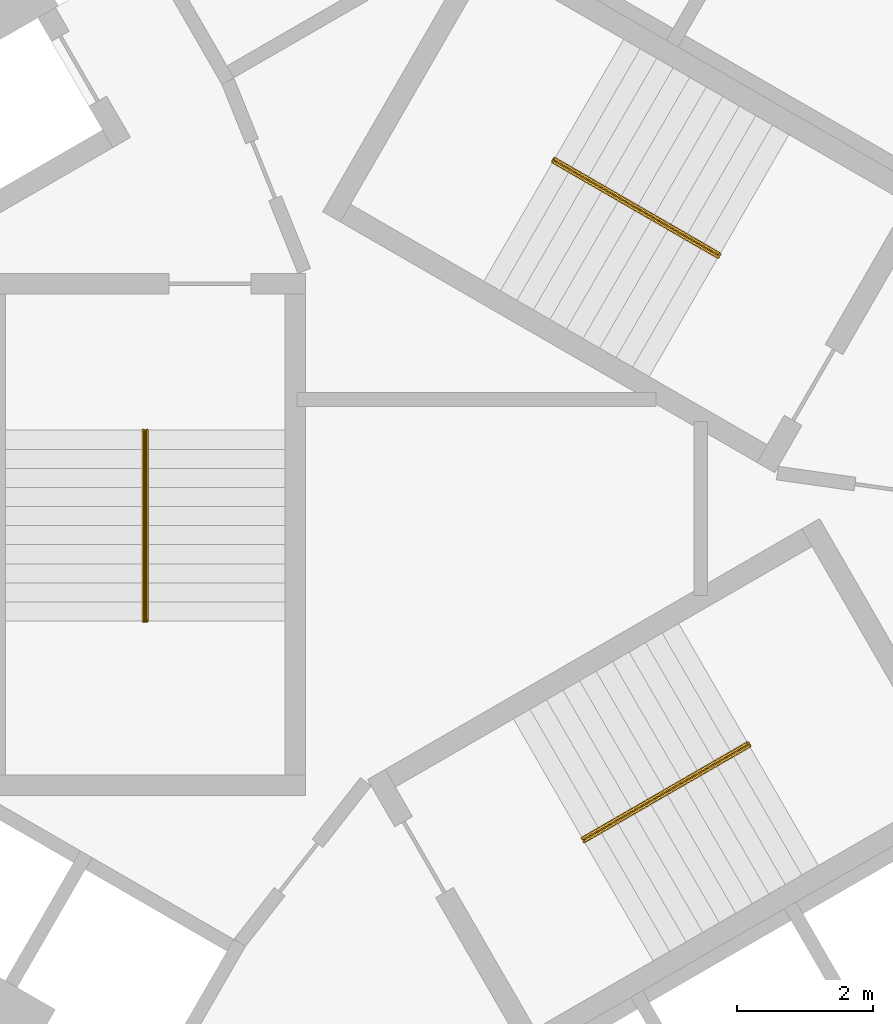
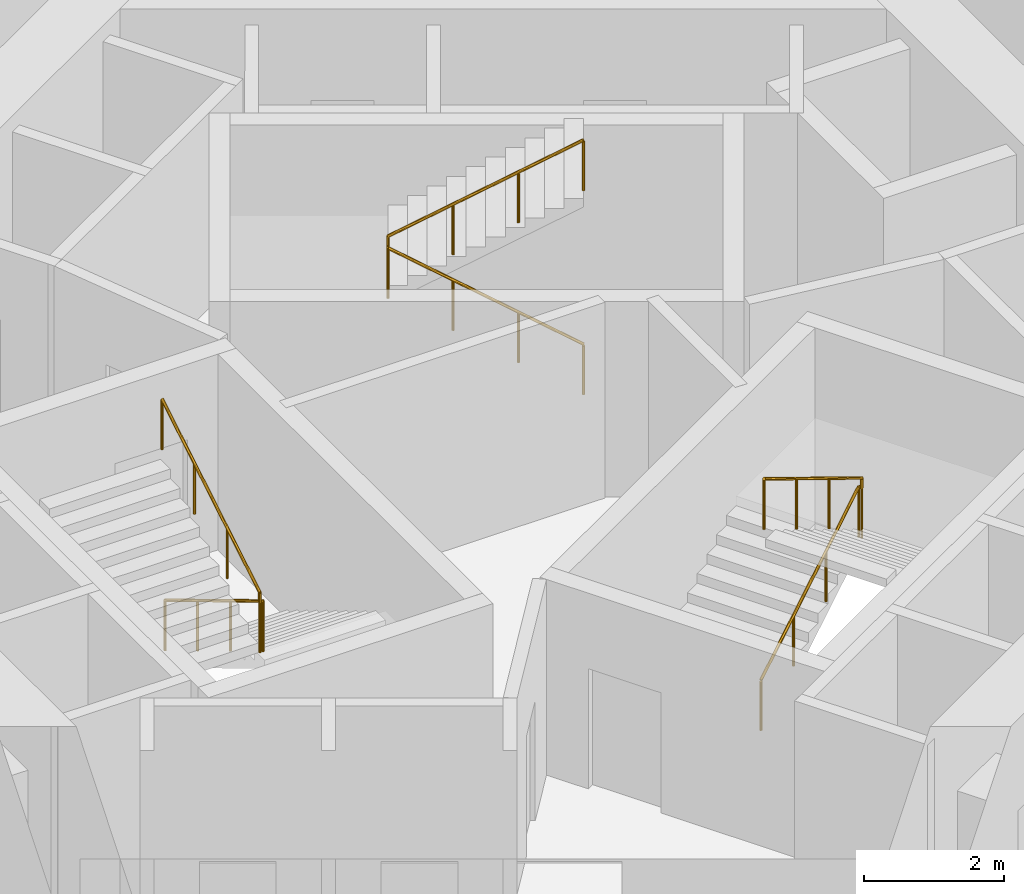
# One storey, part 11 of 11: 3 railings.
"""IFC4 building model written with IfcOpenShell, lengths in metres."""

from ifc_helpers import new_model, si_unit, direction, frame, origin, origin_2d, place, context, subcontext, project, spatial, circle, extrude, material, type_object, element, save


model = new_model("IFC4")

# Units and contexts
model_context = context("Model", 3, precision=1e-05, world=origin(), true_north=direction((0.0, 1.0)))
body_context = subcontext(model_context, "Body", "Model", "MODEL_VIEW")
ifc_project = project(units=[si_unit("LENGTHUNIT", "METRE"), si_unit("AREAUNIT", "SQUARE_METRE"), si_unit("VOLUMEUNIT", "CUBIC_METRE"), si_unit("PLANEANGLEUNIT", "RADIAN"), si_unit("MASSUNIT", "GRAM", prefix="KILO")], contexts=[model_context])

# Site, building, storey
site_placement = place(None, origin())
site = spatial("IfcSite", under=ifc_project, at=site_placement, CompositionType="ELEMENT")
building_placement = place(site_placement, origin())
building = spatial("IfcBuilding", under=site, at=building_placement, Name="Vanh Sen Convention Tower", CompositionType="ELEMENT")
storey_placement = place(building_placement, frame((0.0, 0.0, 154.0)))
storey = spatial("IfcBuildingStorey", under=building, at=storey_placement, Name="L37", CompositionType="ELEMENT", Elevation=154.0)

# Railings
ifc_material = material(Name="Stainless steel handrail", Category="steel")
railing_type = type_object("IfcRailingType", Name="Stair handrail 900", PredefinedType="HANDRAIL", material=ifc_material)
railing_1_placement = place(storey_placement, frame((3.45849609375, 3.690185546875, 0.168212890625)))
element("IfcRailing", 1, at=railing_1_placement, inside=storey, type_object=railing_type, Name="Stair handrail ST1 L37", PredefinedType="HANDRAIL", context=body_context, shape_type="SweptSolid", body=[
    extrude(circle(Radius=0.02392578125, at=origin_2d()), frame((0.0, 0.0, 0.8759765625), z_axis=(-0.742390482028, 0.42860119049, 0.514934356695), x_axis=(-0.49998411664, -0.866034573852, 0.0)), (0.0, 0.0, 1.0), 3.26611328125),
    extrude(circle(Radius=0.02392578125, at=origin_2d()), frame((-2.4248046875, 1.39990234375, 2.5576171875), z_axis=(0.497188445666, 0.867642581652, 0.0), x_axis=(-0.867642581652, 0.497188445666, 0.0)), (0.0, 0.0, 1.0), 0.050048828125),
    extrude(circle(Radius=0.02392578125, at=origin_2d()), frame((-2.39990234375, 1.443359375, 2.5576171875), z_axis=(0.0, 0.0, 1.0), x_axis=(1.0, 0.0, 0.0)), (0.0, 0.0, 1.0), 0.168212890625),
    extrude(circle(Radius=0.02392578125, at=origin_2d()), frame((-2.39990234375, 1.443359375, 2.72607421875), z_axis=(0.742395268701, -0.428678701772, 0.514862928999), x_axis=(0.500049511043, 0.865996816683, 0.0)), (0.0, 0.0, 1.0), 3.26611328125),
    extrude(circle(Radius=0.02099609375, at=origin_2d()), origin(), (0.0, 0.0, 1.0), 0.851806640625),
    extrude(circle(Radius=0.02099609375, at=origin_2d()), frame((-0.808349609375, 0.466552734375, 0.560546875)), (0.0, 0.0, 1.0), 0.851806640625),
    extrude(circle(Radius=0.02099609375, at=origin_2d()), frame((-1.616455078125, 0.933349609375, 1.121337890625)), (0.0, 0.0, 1.0), 0.851806640625),
    extrude(circle(Radius=0.02099609375, at=origin_2d()), frame((-2.4248046875, 1.39990234375, 1.681884765625)), (0.0, 0.0, 1.0), 0.851806640625),
    extrude(circle(Radius=0.02099609375, at=origin_2d()), frame((-2.39990234375, 1.443359375, 1.681884765625)), (0.0, 0.0, 1.0), 0.851806640625),
    extrude(circle(Radius=0.02099609375, at=origin_2d()), frame((-2.39990234375, 1.443359375, 1.85009765625)), (0.0, 0.0, 1.0), 0.851806640625),
    extrude(circle(Radius=0.02099609375, at=origin_2d()), frame((-1.591552734375, 0.9765625, 2.41064453125)), (0.0, 0.0, 1.0), 0.851806640625),
    extrude(circle(Radius=0.02099609375, at=origin_2d()), frame((-0.783447265625, 0.510009765625, 2.97119140625)), (0.0, 0.0, 1.0), 0.851806640625),
    extrude(circle(Radius=0.02099609375, at=origin_2d()), frame((0.02490234375, 0.043212890625, 3.53173828125)), (0.0, 0.0, 1.0), 0.851806640625),
])
railing_2_placement = place(storey_placement, frame((-4.925048828125, 1.14990234375, 0.168212890625)))
element("IfcRailing", 2, at=railing_2_placement, inside=storey, type_object=railing_type, Name="Stair handrail ST2 L37", PredefinedType="HANDRAIL", context=body_context, shape_type="SweptSolid", body=[
    extrude(circle(Radius=0.02392578125, at=origin_2d()), frame((0.0, 0.0, 0.8759765625), z_axis=(0.0, -0.857222391501, 0.514946377315), x_axis=(1.0, 0.0, 0.0)), (0.0, 0.0, 1.0), 3.26611328125),
    extrude(circle(Radius=0.02392578125, at=origin_2d()), frame((0.0, -2.7998046875, 2.5576171875), z_axis=(-1.0, 0.0, 0.0), x_axis=(0.0, -1.0, 0.0)), (0.0, 0.0, 1.0), 0.050048828125),
    extrude(circle(Radius=0.02392578125, at=origin_2d()), frame((-0.050048828125, -2.7998046875, 2.5576171875), z_axis=(0.0, 0.0, 1.0), x_axis=(1.0, 0.0, 0.0)), (0.0, 0.0, 1.0), 0.168212890625),
    extrude(circle(Radius=0.02392578125, at=origin_2d()), frame((-0.050048828125, -2.7998046875, 2.72607421875), z_axis=(0.0, 0.857255387014, 0.514891446264), x_axis=(-1.0, 0.0, 0.0)), (0.0, 0.0, 1.0), 3.26611328125),
    extrude(circle(Radius=0.02099609375, at=origin_2d()), origin(), (0.0, 0.0, 1.0), 0.851806640625),
    extrude(circle(Radius=0.02099609375, at=origin_2d()), frame((0.0, -0.933349609375, 0.560546875)), (0.0, 0.0, 1.0), 0.851806640625),
    extrude(circle(Radius=0.02099609375, at=origin_2d()), frame((0.0, -1.866455078125, 1.121337890625)), (0.0, 0.0, 1.0), 0.851806640625),
    extrude(circle(Radius=0.02099609375, at=origin_2d()), frame((0.0, -2.7998046875, 1.681884765625)), (0.0, 0.0, 1.0), 0.851806640625),
    extrude(circle(Radius=0.02099609375, at=origin_2d()), frame((-0.050048828125, -2.7998046875, 1.681884765625)), (0.0, 0.0, 1.0), 0.851806640625),
    extrude(circle(Radius=0.02099609375, at=origin_2d()), frame((-0.050048828125, -2.7998046875, 1.85009765625)), (0.0, 0.0, 1.0), 0.851806640625),
    extrude(circle(Radius=0.02099609375, at=origin_2d()), frame((-0.050048828125, -1.866455078125, 2.41064453125)), (0.0, 0.0, 1.0), 0.851806640625),
    extrude(circle(Radius=0.02099609375, at=origin_2d()), frame((-0.050048828125, -0.933349609375, 2.97119140625)), (0.0, 0.0, 1.0), 0.851806640625),
    extrude(circle(Radius=0.02099609375, at=origin_2d()), frame((-0.050048828125, 0.0, 3.53173828125)), (0.0, 0.0, 1.0), 0.851806640625),
])
railing_3_placement = place(storey_placement, frame((1.466552734375, -4.840087890625, 0.168212890625)))
element("IfcRailing", 3, at=railing_3_placement, inside=storey, type_object=railing_type, Name="Stair handrail ST3 L37", PredefinedType="HANDRAIL", context=body_context, shape_type="SweptSolid", body=[
    extrude(circle(Radius=0.02392578125, at=origin_2d()), frame((0.0, 0.0, 0.8759765625), z_axis=(0.742390482028, 0.42860119049, 0.514934356695), x_axis=(-0.49998411664, 0.866034573852, 0.0)), (0.0, 0.0, 1.0), 3.26611328125),
    extrude(circle(Radius=0.02392578125, at=origin_2d()), frame((2.4248046875, 1.39990234375, 2.5576171875), z_axis=(0.502959906984, -0.86430974307, 0.0), x_axis=(0.86430974307, 0.502959906984, 0.0)), (0.0, 0.0, 1.0), 0.050048828125),
    extrude(circle(Radius=0.02392578125, at=origin_2d()), frame((2.449951171875, 1.356689453125, 2.5576171875), z_axis=(0.0, 0.0, 1.0), x_axis=(1.0, 0.0, 0.0)), (0.0, 0.0, 1.0), 0.168212890625),
    extrude(circle(Radius=0.02392578125, at=origin_2d()), frame((2.449951171875, 1.356689453125, 2.72607421875), z_axis=(-0.742395268701, -0.428678701772, 0.514862928999), x_axis=(0.500049511043, -0.865996816683, 0.0)), (0.0, 0.0, 1.0), 3.26611328125),
    extrude(circle(Radius=0.02099609375, at=origin_2d()), origin(), (0.0, 0.0, 1.0), 0.851806640625),
    extrude(circle(Radius=0.02099609375, at=origin_2d()), frame((0.808349609375, 0.466552734375, 0.560546875)), (0.0, 0.0, 1.0), 0.851806640625),
    extrude(circle(Radius=0.02099609375, at=origin_2d()), frame((1.616455078125, 0.933349609375, 1.121337890625)), (0.0, 0.0, 1.0), 0.851806640625),
    extrude(circle(Radius=0.02099609375, at=origin_2d()), frame((2.4248046875, 1.39990234375, 1.681884765625)), (0.0, 0.0, 1.0), 0.851806640625),
    extrude(circle(Radius=0.02099609375, at=origin_2d()), frame((2.449951171875, 1.356689453125, 1.681884765625)), (0.0, 0.0, 1.0), 0.851806640625),
    extrude(circle(Radius=0.02099609375, at=origin_2d()), frame((2.449951171875, 1.356689453125, 1.85009765625)), (0.0, 0.0, 1.0), 0.851806640625),
    extrude(circle(Radius=0.02099609375, at=origin_2d()), frame((1.6416015625, 0.889892578125, 2.41064453125)), (0.0, 0.0, 1.0), 0.851806640625),
    extrude(circle(Radius=0.02099609375, at=origin_2d()), frame((0.83349609375, 0.42333984375, 2.97119140625)), (0.0, 0.0, 1.0), 0.851806640625),
    extrude(circle(Radius=0.02099609375, at=origin_2d()), frame((0.025146484375, -0.04345703125, 3.53173828125)), (0.0, 0.0, 1.0), 0.851806640625),
])

save(model, "model.ifc")
